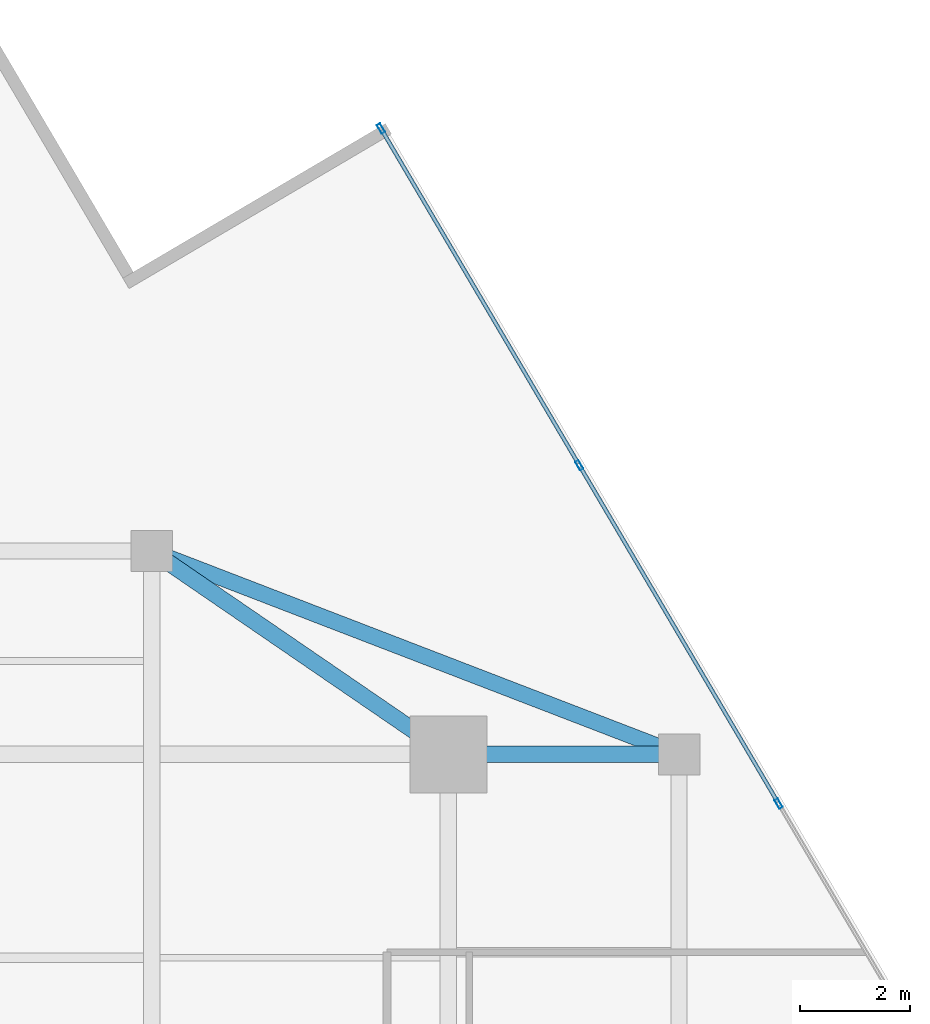
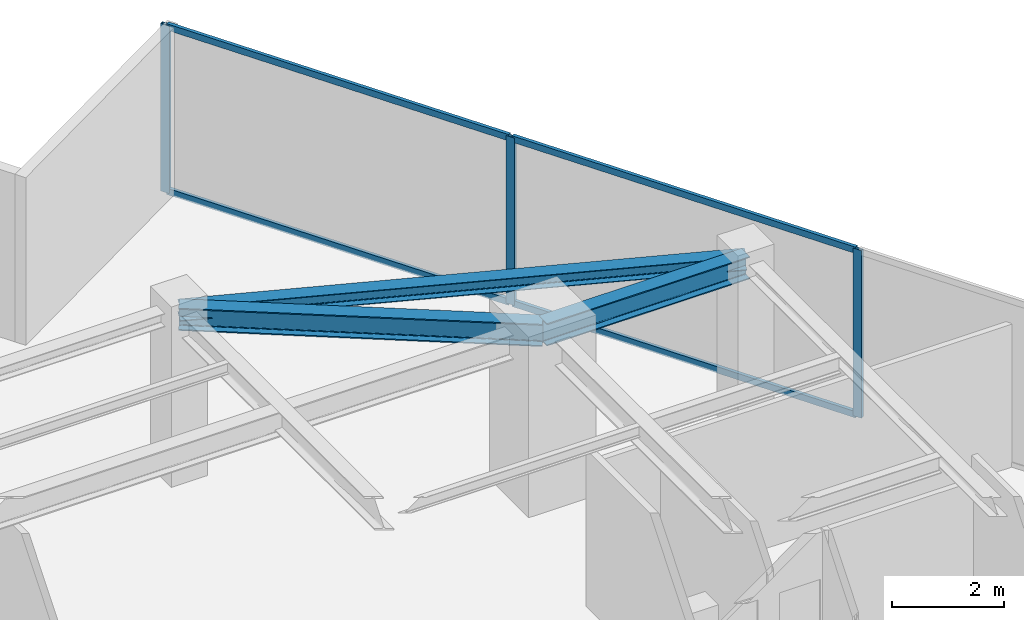
# One storey, part 15 of 20: 7 members, 3 beams, 1 element without a shape of its own.
"""IFC4 building model written with IfcOpenShell, lengths in metres."""

import ifcopenshell
import ifcopenshell.guid

model = None  # the IFC model being written
_history = None  # IfcOwnerHistory: only IFC2X3 demands one
_inside = {}  # id of a spatial element -> (the spatial element, [elements in it])
_under = {}  # id of a project, library or spatial element -> (it, [spatial elements below it])
_declared = {}  # id of a project -> (the project, [libraries it declares])
_typed = {}  # id of a type object -> (the type object, [elements of that type])
_made_of = {}  # id of a material, layer set ... -> (it, [elements and type objects made of it])


def new_model(schema):
    """Start an empty IFC model of exactly this schema.

    Asked for "IFC4X3", IfcOpenShell would pick the latest addendum, in which some entities
    have other attributes; the version numbers below select the first issue.
    IFC2X3 requires an IfcOwnerHistory on every rooted entity: one is made here for all.
    """
    global model, _history
    if schema == "IFC4X3":
        model = ifcopenshell.file(schema_version=(4, 3, 0, 0))
    else:
        model = ifcopenshell.file(schema=schema)
    _inside.clear()
    _under.clear()
    _declared.clear()
    _typed.clear()
    _made_of.clear()
    _history = None
    if model.schema == "IFC2X3":
        org = make("IfcOrganization", Name="unknown")
        user = make(
            "IfcPersonAndOrganization",
            ThePerson=make("IfcPerson", FamilyName="unknown"),
            TheOrganization=org,
        )
        app = make(
            "IfcApplication",
            ApplicationDeveloper=org,
            Version="unknown",
            ApplicationFullName="unknown",
            ApplicationIdentifier="unknown",
        )
        _history = make(
            "IfcOwnerHistory",
            OwningUser=user,
            OwningApplication=app,
            ChangeAction="ADDED",
            CreationDate=0,
        )
    return model


def make(cls, **values):
    """One entity of the class cls with the attributes given. An attribute that is None is left unset."""
    return model.create_entity(
        cls, **{name: value for name, value in values.items() if value is not None}
    )


def rooted(cls, **values):
    """An entity with a GlobalId (a new one), such as an element, a storey or a relation."""
    return make(cls, GlobalId=ifcopenshell.guid.new(), OwnerHistory=_history, **values)


def si_unit(unit_type, name, prefix=None):
    """IfcSIUnit, for example si_unit("LENGTHUNIT", "METRE", prefix="MILLI")."""
    return make("IfcSIUnit", UnitType=unit_type, Prefix=prefix, Name=name)


def assignment(units):
    """IfcUnitAssignment: the units of a project."""
    return None if units is None else make("IfcUnitAssignment", Units=units)


def point(xyz):
    """IfcCartesianPoint."""
    return None if xyz is None else make("IfcCartesianPoint", Coordinates=xyz)


def direction(xyz):
    """IfcDirection."""
    return None if xyz is None else make("IfcDirection", DirectionRatios=xyz)


def frame(location, z_axis=None, x_axis=None):
    """IfcAxis2Placement3D, a coordinate frame: its origin and axes. An axis left out is left unset."""
    return make(
        "IfcAxis2Placement3D",
        Location=point(location),
        Axis=direction(z_axis),
        RefDirection=direction(x_axis),
    )


def frame_2d(location, x_axis=None):
    """IfcAxis2Placement2D, a coordinate frame in the plane: its origin and x axis."""
    return make(
        "IfcAxis2Placement2D", Location=point(location), RefDirection=direction(x_axis)
    )


def origin():
    """The frame at (0, 0, 0) with its axes left unset."""
    return frame((0.0, 0.0, 0.0))


def origin_2d():
    """The frame at (0, 0) in the plane with its x axis left unset."""
    return frame_2d((0.0, 0.0))


def place(relative_to, where):
    """IfcLocalPlacement: puts the frame where relative to a parent placement (None: the world)."""
    return make(
        "IfcLocalPlacement", PlacementRelTo=relative_to, RelativePlacement=where
    )


def context(
    kind, dimensions, precision=None, world=None, true_north=None, identifier=None
):
    """IfcGeometricRepresentationContext, for example the 3D "Model" context."""
    return make(
        "IfcGeometricRepresentationContext",
        ContextIdentifier=identifier,
        ContextType=kind,
        CoordinateSpaceDimension=dimensions,
        Precision=precision,
        WorldCoordinateSystem=world,
        TrueNorth=true_north,
    )


def subcontext(parent, identifier, kind, view, scale=None):
    """IfcGeometricRepresentationSubContext, for example "Body" below "Model"."""
    return make(
        "IfcGeometricRepresentationSubContext",
        ContextIdentifier=identifier,
        ContextType=kind,
        ParentContext=parent,
        TargetScale=scale,
        TargetView=view,
    )


def project(units=None, contexts=None):
    """IfcProject with its units and contexts."""
    return rooted(
        "IfcProject",
        Name="project",
        RepresentationContexts=contexts,
        UnitsInContext=assignment(units),
    )


def spatial(cls, under=None, at=None, **own):
    """A site, building, storey or space (cls), placed at a placement, below another one or the project."""
    s = rooted(cls, ObjectPlacement=at, **own)
    if under is not None:
        _under.setdefault(under.id(), (under, []))[1].append(s)
    return s


def profile(cls, at=None, kind="AREA", **sizes):
    """A parametric profile (cls). Its sizes go by their IFC names, for example OverallWidth=200.0."""
    return make(cls, ProfileType=kind, Position=at, **sizes)


def hollow_rectangle(**sizes):
    """IfcRectangleHollowProfileDef."""
    return profile("IfcRectangleHollowProfileDef", **sizes)


def i_section(**sizes):
    """IfcIShapeProfileDef."""
    return profile("IfcIShapeProfileDef", **sizes)


def extrude(swept, where, along, depth):
    """IfcExtrudedAreaSolid: the profile swept, set in the frame where, extruded along a direction by depth."""
    return make(
        "IfcExtrudedAreaSolid",
        SweptArea=swept,
        Position=where,
        ExtrudedDirection=direction(along),
        Depth=depth,
    )


def shape(context_of_items, identifier, shape_type, items):
    """IfcShapeRepresentation: the items that make up one representation, for example the "Body"."""
    return make(
        "IfcShapeRepresentation",
        ContextOfItems=context_of_items,
        RepresentationIdentifier=identifier,
        RepresentationType=shape_type,
        Items=items,
    )


def source(mapping_origin, context_of_items, identifier, shape_type, items):
    """IfcRepresentationMap: a shape defined once, which mapped items show again and again."""
    return make(
        "IfcRepresentationMap",
        MappingOrigin=mapping_origin,
        MappedRepresentation=shape(context_of_items, identifier, shape_type, items),
    )


def transform(
    local_origin,
    x_axis=None,
    y_axis=None,
    z_axis=None,
    scale=None,
    scale2=None,
    scale3=None,
    uniform=True,
):
    """IfcCartesianTransformationOperator3D, or its non-uniform kind. x_axis, y_axis, z_axis: its Axis1, 2, 3."""
    if uniform:
        return make(
            "IfcCartesianTransformationOperator3D",
            Axis1=direction(x_axis),
            Axis2=direction(y_axis),
            LocalOrigin=point(local_origin),
            Scale=scale,
            Axis3=direction(z_axis),
        )
    return make(
        "IfcCartesianTransformationOperator3DnonUniform",
        Axis1=direction(x_axis),
        Axis2=direction(y_axis),
        LocalOrigin=point(local_origin),
        Scale=scale,
        Axis3=direction(z_axis),
        Scale2=scale2,
        Scale3=scale3,
    )


def mapped(mapping_source, mapping_target):
    """IfcMappedItem: shows the shape of a source again, moved by a transform."""
    return make(
        "IfcMappedItem", MappingSource=mapping_source, MappingTarget=mapping_target
    )


def material(Name=None, Category=None):
    """IfcMaterial."""
    return make("IfcMaterial", Name=Name, Category=Category)


def material_profile(
    of_material, cross_section, Name=None, Category=None, Priority=None
):
    """IfcMaterialProfile: a cross section and its material."""
    return make(
        "IfcMaterialProfile",
        Name=Name,
        Material=of_material,
        Profile=cross_section,
        Priority=Priority,
        Category=Category,
    )


def profile_set(profiles, Name=None, composite=None):
    """IfcMaterialProfileSet."""
    return make(
        "IfcMaterialProfileSet",
        Name=Name,
        MaterialProfiles=profiles,
        CompositeProfile=composite,
    )


def made_of(thing, what):
    """Note that an element or type object is made of a material, layer set ...; save() writes the relation."""
    if what is not None:
        _made_of.setdefault(what.id(), (what, []))[1].append(thing)
    return thing


def type_object(cls, material=None, **own):
    """A type object (cls), such as IfcWallType, which elements share."""
    return made_of(rooted(cls, **own), material)


def type_shapes(of_type, sources):
    """Give a type object the sources (RepresentationMaps) that its elements show as mapped items."""
    of_type.RepresentationMaps = sources


def element(
    cls,
    number,
    at=None,
    inside=None,
    cuts=None,
    type_object=None,
    material=None,
    context=None,
    identifier="Body",
    shape_type=None,
    held_by="IfcProductDefinitionShape",
    body=None,
    shapes=None,
    **own,
):
    """One element of the class cls, such as IfcWall. Its Tag is "e" and its number.

    at: its placement. inside: the storey or other place that contains it. cuts: it is an
    opening in that element (IfcRelVoidsElement). A single representation is given by context,
    identifier, shape_type and body (its items); several are given by shapes. held_by: the class
    of the entity that holds the representations. save() writes the other relations.
    """
    e = rooted(cls, Tag="e%d" % number, ObjectPlacement=at, **own)
    if body is not None:
        shapes = [shape(context, identifier, shape_type, body)]
    if shapes is not None:
        e.Representation = make(held_by, Representations=shapes)
    if inside is not None:
        _inside.setdefault(inside.id(), (inside, []))[1].append(e)
    if cuts is not None:
        rooted(
            "IfcRelVoidsElement", RelatingBuildingElement=cuts, RelatedOpeningElement=e
        )
    if type_object is not None:
        _typed.setdefault(type_object.id(), (type_object, []))[1].append(e)
    return made_of(e, material)


def aggregate(whole, parts):
    """IfcRelAggregates: a whole, such as a stair, and the parts it consists of."""
    return rooted("IfcRelAggregates", RelatingObject=whole, RelatedObjects=parts)


def save(model, path):
    """Write the relations noted so far, then the file.

    IfcRelAggregates (storeys below a building ...), IfcRelContainedInSpatialStructure (elements
    in a storey), IfcRelDefinesByType, IfcRelAssociatesMaterial and IfcRelDeclares: one each for
    every whole, place, type object, material and project.
    """
    for whole, parts in _under.values():
        aggregate(whole, parts)
    for where, things in _inside.values():
        rooted(
            "IfcRelContainedInSpatialStructure",
            RelatedElements=things,
            RelatingStructure=where,
        )
    for kind, things in _typed.values():
        rooted("IfcRelDefinesByType", RelatedObjects=things, RelatingType=kind)
    for what, things in _made_of.values():
        rooted("IfcRelAssociatesMaterial", RelatedObjects=things, RelatingMaterial=what)
    for by, libraries in _declared.values():
        rooted("IfcRelDeclares", RelatingContext=by, RelatedDefinitions=libraries)
    model.write(path)


model = new_model("IFC4")

# Units and contexts
model_context = context("Model", 3, precision=1e-05, world=origin(), true_north=direction((0.0, 1.0)))
body_context = subcontext(model_context, "Body", "Model", "MODEL_VIEW")
ifc_project = project(units=[si_unit("LENGTHUNIT", "METRE"), si_unit("AREAUNIT", "SQUARE_METRE"), si_unit("VOLUMEUNIT", "CUBIC_METRE"), si_unit("PLANEANGLEUNIT", "RADIAN"), si_unit("MASSUNIT", "GRAM", prefix="KILO")], contexts=[model_context])

# Site, building, storey
site_placement = place(None, origin())
site = spatial("IfcSite", under=ifc_project, at=site_placement, CompositionType="ELEMENT")
building_placement = place(site_placement, origin())
building = spatial("IfcBuilding", under=site, at=building_placement, Name="Krantzveldt Concourse Tower", CompositionType="ELEMENT")
storey_placement = place(building_placement, frame((0.0, 0.0, 299.0)))
storey = spatial("IfcBuildingStorey", under=building, at=storey_placement, Name="L73", CompositionType="ELEMENT", Elevation=299.0)

# Beams
ifc_material_1 = material(Name="Steel S355JR", Category="steel")
ifc_material_profile_1 = material_profile(ifc_material_1, i_section(OverallWidth=0.300048828125, OverallDepth=0.489990234375, WebThickness=0.011962890625, FlangeThickness=0.02294921875, FilletRadius=0.027099609375, at=origin_2d()), Name="Steel S355JR", Category="steel")
ifc_profile_set_1 = profile_set([ifc_material_profile_1], Name="Steel S355JR - HEA 500")
beam_type_1 = type_object("IfcBeamType", Name="BM-B-HEA500", PredefinedType="BEAM", material=ifc_profile_set_1)
shared_shape_1 = source(origin(), body_context, "Body", "SweptSolid", [
    extrude(i_section(OverallWidth=0.300048828125, OverallDepth=0.489990234375, WebThickness=0.011962890625, FlangeThickness=0.02294921875, FilletRadius=0.027099609375, at=origin_2d()), origin(), (0.0, 0.0, 1.0), 4.199951171875),
])
beam_1_placement = place(storey_placement, frame((46.800048828125, 37.5, 3.425048828125), z_axis=(1.0, 0.0, 0.0), x_axis=(0.0, 1.0, 0.0)))
element("IfcBeam", 1, at=beam_1_placement, inside=storey, type_object=beam_type_1, Name="L73 Tower Girder BR-RR3", PredefinedType="BEAM", context=body_context, shape_type="MappedRepresentation", body=[
    mapped(shared_shape_1, transform((0.0, 0.0, 0.0), x_axis=(1.0, 0.0, 0.0), y_axis=(0.0, 1.0, 0.0), z_axis=(0.0, 0.0, 1.0), scale=1.0)),
])
shared_shape_2 = source(origin(), body_context, "Body", "SweptSolid", [
    extrude(i_section(OverallWidth=0.300048828125, OverallDepth=0.489990234375, WebThickness=0.011962890625, FlangeThickness=0.02294921875, FilletRadius=0.027099609375, at=origin_2d()), origin(), (0.0, 0.0, 1.0), 6.546142578125),
])
type_shapes(beam_type_1, [shared_shape_1, shared_shape_2])
beam_2_placement = place(storey_placement, frame((46.800048828125, 37.5, 3.425048828125), z_axis=(-0.824942999484, 0.565215930068, 0.0), x_axis=(-0.565215930068, -0.824942999484, 0.0)))
element("IfcBeam", 2, at=beam_2_placement, inside=storey, type_object=beam_type_1, Name="L73 Tower Girder BR-RR4", PredefinedType="BEAM", context=body_context, shape_type="MappedRepresentation", body=[
    mapped(shared_shape_2, transform((0.0, 0.0, 0.0), x_axis=(1.0, 0.0, 0.0), y_axis=(0.0, 1.0, 0.0), z_axis=(0.0, 0.0, 1.0), scale=1.0)),
])
ifc_material_profile_2 = material_profile(ifc_material_1, i_section(OverallWidth=0.2900390625, OverallDepth=0.2900390625, WebThickness=0.008544921875, FlangeThickness=0.013916015625, FilletRadius=0.027099609375, at=origin_2d()), Name="Steel S355JR", Category="steel")
ifc_profile_set_2 = profile_set([ifc_material_profile_2], Name="Steel S355JR - HEA 300")
beam_type_2 = type_object("IfcBeamType", Name="BM-SP-HEA300", PredefinedType="SPANDREL", material=ifc_profile_set_2)
shared_shape_3 = source(origin(), body_context, "Body", "SweptSolid", [
    extrude(i_section(OverallWidth=0.2900390625, OverallDepth=0.2900390625, WebThickness=0.008544921875, FlangeThickness=0.013916015625, FilletRadius=0.027099609375, at=origin_2d()), origin(), (0.0, 0.0, 1.0), 10.288330078125),
])
type_shapes(beam_type_2, [shared_shape_3])
beam_3_placement = place(storey_placement, frame((41.39990234375, 41.199951171875, 3.52490234375), z_axis=(0.933097690408, -0.359622997257, 0.0), x_axis=(0.359622997257, 0.933097690408, 0.0)))
element("IfcBeam", 3, at=beam_3_placement, inside=storey, type_object=beam_type_2, Name="L73 Tower Girder SP-R05", PredefinedType="SPANDREL", context=body_context, shape_type="MappedRepresentation", body=[
    mapped(shared_shape_3, transform((0.0, 0.0, 0.0), x_axis=(1.0, 0.0, 0.0), y_axis=(0.0, 1.0, 0.0), z_axis=(0.0, 0.0, 1.0), scale=1.0)),
])

# Curtain wall, members
ifc_material_2 = material(Name="Anodised aluminium 6063-T6", Category="aluminium")
curtain_wall_type = type_object("IfcCurtainWallType", Name="CW4", PredefinedType="USERDEFINED", material=ifc_material_2)
curtain_wall_placement = place(storey_placement, origin())
curtain_wall = element("IfcCurtainWall", 4, at=curtain_wall_placement, inside=storey, type_object=curtain_wall_type, Name="CW-L73-F10", ObjectType="UNITISED CURTAIN WALL", PredefinedType="USERDEFINED")
ifc_material_profile_3 = material_profile(ifc_material_2, hollow_rectangle(XDim=0.070068359375, YDim=0.179931640625, WallThickness=0.0048828125, at=origin_2d()), Name="Anodised aluminium 6063-T6", Category="aluminium")
ifc_profile_set_3 = profile_set([ifc_material_profile_3], Name="Anodised aluminium 6063-T6 - ALU-MULL 180x70x5")
member_type_1 = type_object("IfcMemberType", Name="CW-MUL-180", PredefinedType="MULLION", material=ifc_profile_set_3)
shared_shape_4 = source(origin(), body_context, "Body", "SweptSolid", [
    extrude(hollow_rectangle(XDim=0.070068359375, YDim=0.179931640625, WallThickness=0.0048828125, at=origin_2d()), origin(), (0.0, 0.0, 1.0), 3.669921875),
])
type_shapes(member_type_1, [shared_shape_4])
member_1_placement = place(storey_placement, frame((52.810302734375, 36.60205078125, 0.0), z_axis=(0.0, 0.0, 1.0), x_axis=(-0.861629171479, -0.507538344223, 0.0)))
member_1 = element("IfcMember", 5, at=member_1_placement, type_object=member_type_1, Name="CW-Z56 mullion 3", PredefinedType="MULLION", context=body_context, shape_type="MappedRepresentation", body=[
    mapped(shared_shape_4, transform((0.0, 0.0, 0.0), x_axis=(1.0, 0.0, 0.0), y_axis=(0.0, 1.0, 0.0), z_axis=(0.0, 0.0, 1.0), scale=1.0)),
])
member_2_placement = place(storey_placement, frame((49.181396484375, 42.7626953125, 0.0), z_axis=(0.0, 0.0, 1.0), x_axis=(-0.861629171479, -0.507538344223, 0.0)))
member_2 = element("IfcMember", 6, at=member_2_placement, type_object=member_type_1, Name="CW-Z56 mullion 4", PredefinedType="MULLION", context=body_context, shape_type="MappedRepresentation", body=[
    mapped(shared_shape_4, transform((0.0, 0.0, 0.0), x_axis=(1.0, 0.0, 0.0), y_axis=(0.0, 1.0, 0.0), z_axis=(0.0, 0.0, 1.0), scale=1.0)),
])
member_3_placement = place(storey_placement, frame((45.5703125, 48.893310546875, 0.0), z_axis=(0.0, 0.0, 1.0), x_axis=(-0.861629171479, -0.507538344223, 0.0)))
member_3 = element("IfcMember", 7, at=member_3_placement, type_object=member_type_1, Name="CW-Z56 mullion 5", PredefinedType="MULLION", context=body_context, shape_type="MappedRepresentation", body=[
    mapped(shared_shape_4, transform((0.0, 0.0, 0.0), x_axis=(1.0, 0.0, 0.0), y_axis=(0.0, 1.0, 0.0), z_axis=(0.0, 0.0, 1.0), scale=1.0)),
])
ifc_material_profile_4 = material_profile(ifc_material_2, hollow_rectangle(XDim=0.070068359375, YDim=0.139892578125, WallThickness=0.0048828125, at=origin_2d()), Name="Anodised aluminium 6063-T6", Category="aluminium")
ifc_profile_set_4 = profile_set([ifc_material_profile_4], Name="Anodised aluminium 6063-T6 - ALU-TRAN 140x70x5")
member_type_2 = type_object("IfcMemberType", Name="CW-TRN-150", PredefinedType="USERDEFINED", material=ifc_profile_set_4)
shared_shape_5 = source(origin(), body_context, "Body", "SweptSolid", [
    extrude(hollow_rectangle(XDim=0.070068359375, YDim=0.139892578125, WallThickness=0.0048828125, at=origin_2d()), origin(), (0.0, 0.0, 1.0), 7.044921875),
])
member_4_placement = place(storey_placement, frame((49.163818359375, 42.79296875, 0.034912109375), z_axis=(-0.507553124405, 0.861620465116, 0.0), x_axis=(-0.861620465116, -0.507553124405, 0.0)))
member_4 = element("IfcMember", 8, at=member_4_placement, type_object=member_type_2, Name="CW-Z56 transom 4.1", ObjectType="TRANSOM", PredefinedType="USERDEFINED", context=body_context, shape_type="MappedRepresentation", body=[
    mapped(shared_shape_5, transform((0.0, 0.0, 0.0), x_axis=(1.0, 0.0, 0.0), y_axis=(0.0, 1.0, 0.0), z_axis=(0.0, 0.0, 1.0), scale=1.0)),
])
member_5_placement = place(storey_placement, frame((49.163818359375, 42.79296875, 3.635009765625), z_axis=(-0.507553124405, 0.861620465116, 0.0), x_axis=(-0.861620465116, -0.507553124405, 0.0)))
member_5 = element("IfcMember", 9, at=member_5_placement, type_object=member_type_2, Name="CW-Z56 transom 4.2", ObjectType="TRANSOM", PredefinedType="USERDEFINED", context=body_context, shape_type="MappedRepresentation", body=[
    mapped(shared_shape_5, transform((0.0, 0.0, 0.0), x_axis=(1.0, 0.0, 0.0), y_axis=(0.0, 1.0, 0.0), z_axis=(0.0, 0.0, 1.0), scale=1.0)),
])
shared_shape_6 = source(origin(), body_context, "Body", "SweptSolid", [
    extrude(hollow_rectangle(XDim=0.070068359375, YDim=0.139892578125, WallThickness=0.0048828125, at=origin_2d()), origin(), (0.0, 0.0, 1.0), 7.080078125),
])
type_shapes(member_type_2, [shared_shape_5, shared_shape_6])
member_6_placement = place(storey_placement, frame((52.792724609375, 36.63232421875, 0.034912109375), z_axis=(-0.507551986665, 0.861621135321, 0.0), x_axis=(-0.861621135321, -0.507551986665, 0.0)))
member_6 = element("IfcMember", 10, at=member_6_placement, type_object=member_type_2, Name="CW-Z56 transom 3.1", ObjectType="TRANSOM", PredefinedType="USERDEFINED", context=body_context, shape_type="MappedRepresentation", body=[
    mapped(shared_shape_6, transform((0.0, 0.0, 0.0), x_axis=(1.0, 0.0, 0.0), y_axis=(0.0, 1.0, 0.0), z_axis=(0.0, 0.0, 1.0), scale=1.0)),
])
member_7_placement = place(storey_placement, frame((52.792724609375, 36.63232421875, 3.635009765625), z_axis=(-0.507551986665, 0.861621135321, 0.0), x_axis=(-0.861621135321, -0.507551986665, 0.0)))
member_7 = element("IfcMember", 11, at=member_7_placement, type_object=member_type_2, Name="CW-Z56 transom 3.2", ObjectType="TRANSOM", PredefinedType="USERDEFINED", context=body_context, shape_type="MappedRepresentation", body=[
    mapped(shared_shape_6, transform((0.0, 0.0, 0.0), x_axis=(1.0, 0.0, 0.0), y_axis=(0.0, 1.0, 0.0), z_axis=(0.0, 0.0, 1.0), scale=1.0)),
])
aggregate(curtain_wall, [member_1, member_2, member_3, member_6, member_7, member_4, member_5])

save(model, "model.ifc")
